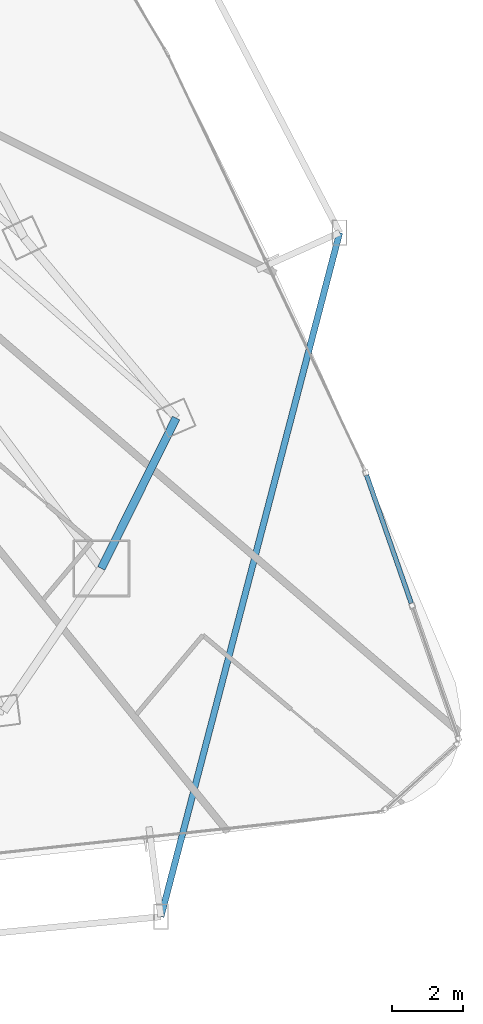
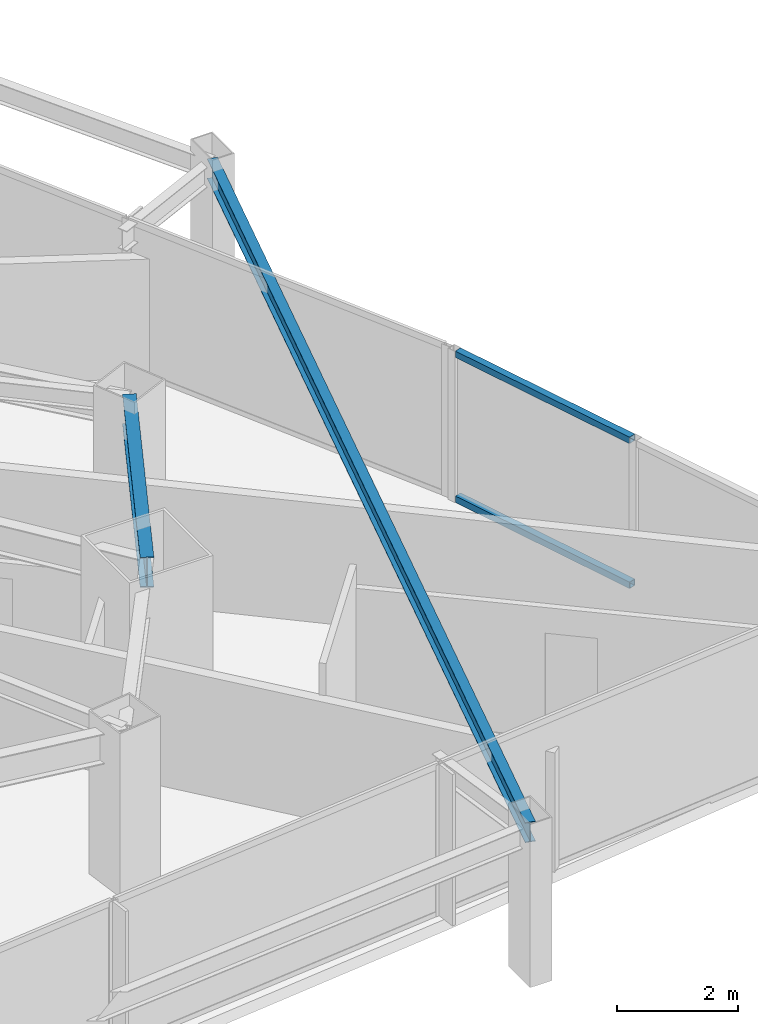
# One storey, part 15 of 35: 2 beams, 2 members, 1 element without a shape of its own.
"""IFC4 building model written with IfcOpenShell, lengths in metres."""

from ifc_helpers import new_model, si_unit, direction, frame, origin, origin_2d, place, context, subcontext, project, spatial, hollow_rectangle, i_section, extrude, material, layer, layer_set, material_profile, profile_set, type_object, element, aggregate, save


model = new_model("IFC4")

# Units and contexts
model_context = context("Model", 3, precision=1e-05, world=origin(), true_north=direction((0.0, 1.0)))
body_context = subcontext(model_context, "Body", "Model", "MODEL_VIEW")
ifc_project = project(units=[si_unit("LENGTHUNIT", "METRE"), si_unit("AREAUNIT", "SQUARE_METRE"), si_unit("VOLUMEUNIT", "CUBIC_METRE"), si_unit("PLANEANGLEUNIT", "RADIAN"), si_unit("MASSUNIT", "GRAM", prefix="KILO")], contexts=[model_context])

# Site, building, storey
site_placement = place(None, origin())
site = spatial("IfcSite", under=ifc_project, at=site_placement, CompositionType="ELEMENT")
building_placement = place(site_placement, origin())
building = spatial("IfcBuilding", under=site, at=building_placement, Name="Orvanel Arch Residences", CompositionType="ELEMENT")
storey_placement = place(building_placement, frame((0.0, 0.0, 33.5)))
storey = spatial("IfcBuildingStorey", under=building, at=storey_placement, Name="L08", CompositionType="ELEMENT", Elevation=33.5)

# Beams
ifc_material_1 = material(Name="Structural steel AS/NZS 3679.1 Grade 300 (300 MPa)", Category="steel")
ifc_material_profile_1 = material_profile(ifc_material_1, i_section(OverallWidth=0.177978515625, OverallDepth=0.406005859375, WebThickness=0.0078125, FlangeThickness=0.0126953125, at=origin_2d()), Name="410UB59.7")
ifc_profile_set_1 = profile_set([ifc_material_profile_1], Name="Structural steel AS/NZS 3679.1 Grade 300 (300 MPa)")
beam_type_1 = type_object("IfcBeamType", Name="OB-410UB-EXT", PredefinedType="SPANDREL", material=ifc_profile_set_1)
beam_1_placement = place(storey_placement, frame((53.47607421875, 0.55810546875, 2.85693359375), z_axis=(0.252814821994, 0.967514685046, 0.0), x_axis=(-0.967514685046, 0.252814821994, 0.0)))
element("IfcBeam", 1, at=beam_1_placement, inside=storey, type_object=beam_type_1, Name="L08 Outer Perimeter Floor Ring Beam 08", PredefinedType="SPANDREL", context=body_context, shape_type="SweptSolid", body=[
    extrude(i_section(OverallWidth=0.177978515625, OverallDepth=0.406005859375, WebThickness=0.0078125, FlangeThickness=0.0126953125, at=origin_2d()), origin(), (0.0, 0.0, 1.0), 19.879638671875),
])
ifc_material_profile_2 = material_profile(ifc_material_1, i_section(OverallWidth=0.22900390625, OverallDepth=0.612060546875, WebThickness=0.011962890625, FlangeThickness=0.01953125, at=origin_2d()), Name="610UB125")
ifc_profile_set_2 = profile_set([ifc_material_profile_2], Name="Structural steel AS/NZS 3679.1 Grade 300 (300 MPa)")
beam_type_2 = type_object("IfcBeamType", Name="SP-610UB", PredefinedType="SPANDREL", material=ifc_profile_set_2)
beam_2_placement = place(storey_placement, frame((51.801025390625, 10.35107421875, 2.75390625), z_axis=(0.44543469453, 0.895314432425, 0.0), x_axis=(-0.895314432425, 0.44543469453, 0.0)))
element("IfcBeam", 2, at=beam_2_placement, inside=storey, type_object=beam_type_2, Name="L08 Perimeter Spandrel Beam 11", PredefinedType="SPANDREL", context=body_context, shape_type="SweptSolid", body=[
    extrude(i_section(OverallWidth=0.22900390625, OverallDepth=0.612060546875, WebThickness=0.011962890625, FlangeThickness=0.01953125, at=origin_2d()), origin(), (0.0, 0.0, 1.0), 4.723388671875),
])

# Curtain wall, members
ifc_material_2 = material(Name="Bronze-anodised aluminium AA6063-T6", Category="aluminium")
ifc_layer = layer(ifc_material_2, 0.18994140625)
ifc_layer_set = layer_set([ifc_layer], Name="Bronze-anodised aluminium AA6063-T6")
curtain_wall_type = type_object("IfcCurtainWallType", Name="CW5-CRN-SYS", PredefinedType="NOTDEFINED", material=ifc_layer_set)
curtain_wall_placement = place(storey_placement, origin())
curtain_wall = element("IfcCurtainWall", 3, at=curtain_wall_placement, inside=storey, type_object=curtain_wall_type, Name="L08 CW5-CRN-SYS Unitised Curtain Wall", PredefinedType="NOTDEFINED")
ifc_material_profile_3 = material_profile(ifc_material_2, hollow_rectangle(XDim=0.1298828125, YDim=0.1298828125, WallThickness=0.00439453125, at=origin_2d()), Name="ALU130x130x4.5")
ifc_profile_set_3 = profile_set([ifc_material_profile_3], Name="Bronze-anodised aluminium AA6063-T6")
member_type = type_object("IfcMemberType", Name="TRN-130x130", PredefinedType="USERDEFINED", material=ifc_profile_set_3)
member_1_placement = place(storey_placement, frame((60.513916015625, 9.373779296875, 0.06494140625), z_axis=(-0.329288460288, 0.944229373575, 0.0), x_axis=(-0.944229373575, -0.329288460288, 0.0)))
member_1 = element("IfcMember", 4, at=member_1_placement, type_object=member_type, Name="CW-S5 transom 2.1", ObjectType="TRANSOM", PredefinedType="USERDEFINED", context=body_context, shape_type="SweptSolid", body=[
    extrude(hollow_rectangle(XDim=0.1298828125, YDim=0.1298828125, WallThickness=0.00439453125, at=origin_2d()), origin(), (0.0, 0.0, 1.0), 3.81005859375),
])
member_2_placement = place(storey_placement, frame((60.513916015625, 9.373779296875, 2.9951171875), z_axis=(-0.329288460288, 0.944229373575, 0.0), x_axis=(-0.944229373575, -0.329288460288, 0.0)))
member_2 = element("IfcMember", 5, at=member_2_placement, type_object=member_type, Name="CW-S5 transom 2.2", ObjectType="TRANSOM", PredefinedType="USERDEFINED", context=body_context, shape_type="SweptSolid", body=[
    extrude(hollow_rectangle(XDim=0.1298828125, YDim=0.1298828125, WallThickness=0.00439453125, at=origin_2d()), origin(), (0.0, 0.0, 1.0), 3.81005859375),
])
aggregate(curtain_wall, [member_1, member_2])

save(model, "model.ifc")
